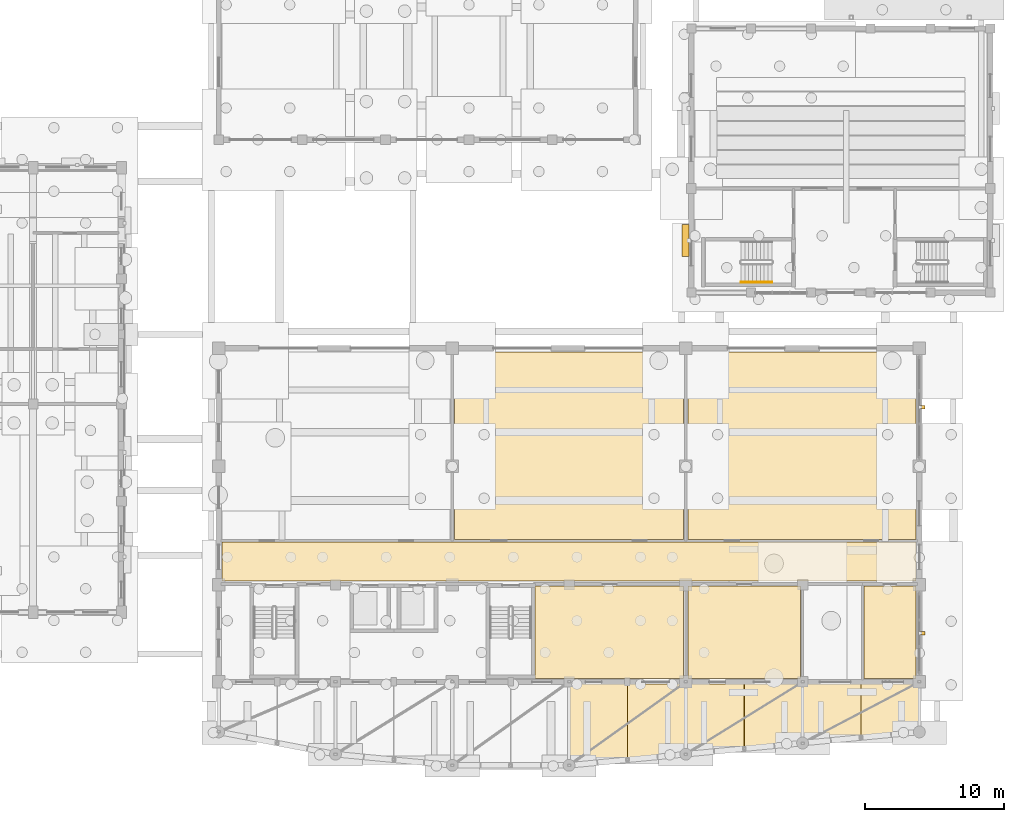
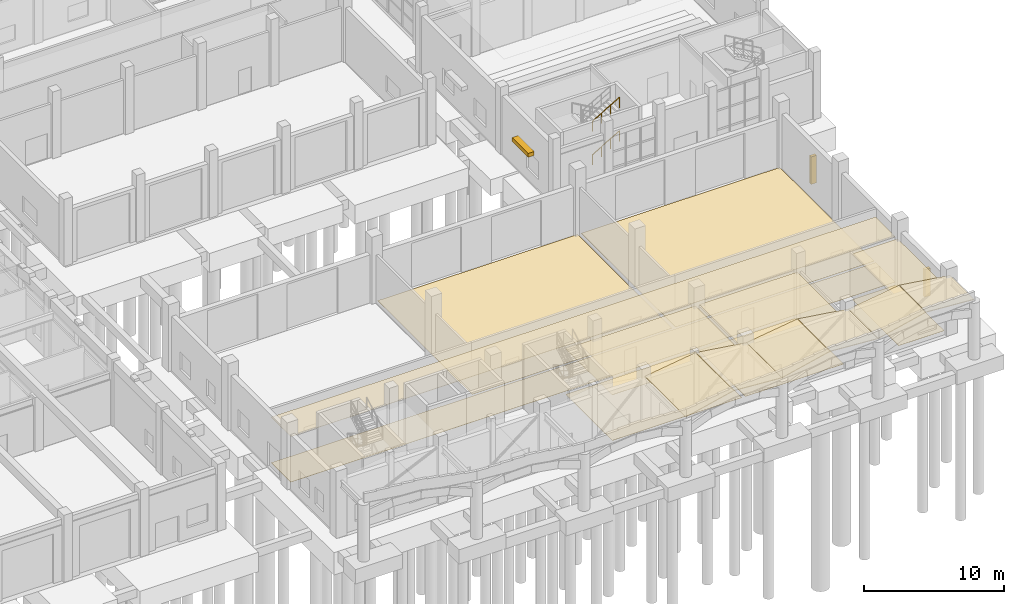
# One storey, part 56 of 60: 16 coverings, 3 shading devices, 2 railings.
"""IFC4 building model written with IfcOpenShell, lengths in metres."""

from ifc_helpers import new_model, si_unit, direction, frame, origin, origin_2d, place, context, subcontext, project, spatial, polyline, rectangle, circle, outline, extrude, material, layer, layer_set, type_object, element, save


model = new_model("IFC4")

# Units and contexts
model_context = context("Model", 3, precision=1e-05, world=origin(), true_north=direction((0.0, 1.0)))
body_context = subcontext(model_context, "Body", "Model", "MODEL_VIEW")
ifc_project = project(units=[si_unit("LENGTHUNIT", "METRE"), si_unit("AREAUNIT", "SQUARE_METRE"), si_unit("VOLUMEUNIT", "CUBIC_METRE"), si_unit("PLANEANGLEUNIT", "RADIAN"), si_unit("MASSUNIT", "GRAM", prefix="KILO")], contexts=[model_context])

# Site, building, storey
site_placement = place(None, origin())
site = spatial("IfcSite", under=ifc_project, at=site_placement, CompositionType="ELEMENT")
building_placement = place(site_placement, origin())
building = spatial("IfcBuilding", under=site, at=building_placement, Name="Trellovar Central Fire Station", CompositionType="ELEMENT")
storey_placement = place(building_placement, origin())
storey = spatial("IfcBuildingStorey", under=building, at=storey_placement, Name="L01", CompositionType="ELEMENT", Elevation=0.0)

# Coverings
ifc_material_1 = material(Name="Perforated acoustic mineral fiber ceiling tile", Category="mineral")
ifc_layer_1 = layer(ifc_material_1, 0.02490234375)
ifc_layer_set_1 = layer_set([ifc_layer_1], Name="Perforated acoustic mineral fiber ceiling tile")
covering_type_1 = type_object("IfcCoveringType", Name="COV-CLG1", PredefinedType="CEILING", material=ifc_layer_set_1)
covering_1_placement = place(storey_placement, frame((0.0, 0.0, 3.97998046875)))
element("IfcCovering", 1, at=covering_1_placement, inside=storey, type_object=covering_type_1, Name="Civic HQ Protected Exit Corridor suspended ceiling", PredefinedType="CEILING", context=body_context, shape_type="SweptSolid", body=[
    extrude(outline(polyline([(155.64990234375, 16.25), (105.75, 16.25), (105.75, 19.050048828125), (155.64990234375, 19.050048828125), (155.64990234375, 16.25)])), origin(), (0.0, 0.0, 1.0), 0.02490234375),
])
covering_2_placement = place(storey_placement, frame((0.0, 0.0, 3.97998046875)))
element("IfcCovering", 2, at=covering_2_placement, inside=storey, type_object=covering_type_1, Name="Public Community Safety Reception suspended ceiling", PredefinedType="CEILING", context=body_context, shape_type="SweptSolid", body=[
    extrude(outline(polyline([(138.949951171875, 9.25), (128.25, 9.25), (128.25, 15.89990234375), (138.949951171875, 15.89990234375), (138.949951171875, 9.25)])), origin(), (0.0, 0.0, 1.0), 0.02490234375),
])
ifc_material_2 = material(Name="Moisture-resistant gypsum ceiling board", Category="gypsum")
ifc_layer_2 = layer(ifc_material_2, 0.030029296875)
ifc_layer_set_2 = layer_set([ifc_layer_2], Name="Moisture-resistant gypsum ceiling board")
covering_type_2 = type_object("IfcCoveringType", Name="COV-CLG2", PredefinedType="CEILING", material=ifc_layer_set_2)
covering_3_placement = place(storey_placement, frame((0.0, 0.0, 3.97998046875)))
element("IfcCovering", 3, at=covering_3_placement, inside=storey, type_object=covering_type_2, Name="Public Male and Female Restrooms suspended ceiling", PredefinedType="CEILING", context=body_context, shape_type="SweptSolid", body=[
    extrude(outline(polyline([(147.35009765625, 9.25), (139.25, 9.25), (139.25, 15.89990234375), (147.35009765625, 15.89990234375), (147.35009765625, 9.25)])), origin(), (0.0, 0.0, 1.0), 0.030029296875),
])
covering_4_placement = place(storey_placement, frame((0.0, 0.0, 3.97998046875)))
element("IfcCovering", 4, at=covering_4_placement, inside=storey, type_object=covering_type_2, Name="Public Accessible WC suspended ceiling", PredefinedType="CEILING", context=body_context, shape_type="SweptSolid", body=[
    extrude(outline(polyline([(155.64990234375, 9.25), (151.89990234375, 9.25), (151.89990234375, 15.89990234375), (155.64990234375, 15.89990234375), (155.64990234375, 9.25)])), origin(), (0.0, 0.0, 1.0), 0.030029296875),
])
ifc_material_3 = material(Name="Heavy-duty slip-resistant quartz epoxy flooring", Category="finish")
ifc_layer_3 = layer(ifc_material_3, 0.014892578125)
ifc_layer_set_3 = layer_set([ifc_layer_3], Name="Heavy-duty slip-resistant quartz epoxy flooring")
covering_type_3 = type_object("IfcCoveringType", Name="COV-FLR1", PredefinedType="FLOORING", material=ifc_layer_set_3)
covering_5_placement = place(storey_placement, origin())
element("IfcCovering", 5, at=covering_5_placement, inside=storey, type_object=covering_type_3, Name="Urban Search and Rescue Apparatus Bay 2 floor finish", PredefinedType="FLOORING", context=body_context, shape_type="SweptSolid", body=[
    extrude(outline(polyline([(138.949951171875, 19.25), (122.449951171875, 19.25), (122.449951171875, 32.75), (138.949951171875, 32.75), (138.949951171875, 19.25)])), origin(), (0.0, 0.0, 1.0), 0.014892578125),
])
covering_6_placement = place(storey_placement, origin())
element("IfcCovering", 6, at=covering_6_placement, inside=storey, type_object=covering_type_3, Name="Mobile Command Apparatus Bay 3 floor finish", PredefinedType="FLOORING", context=body_context, shape_type="SweptSolid", body=[
    extrude(outline(polyline([(155.64990234375, 19.25), (139.25, 19.25), (139.25, 32.75), (155.64990234375, 32.75), (155.64990234375, 19.25)])), origin(), (0.0, 0.0, 1.0), 0.014892578125),
])
ifc_material_4 = material(Name="Vitrified Catalan ceramic floor tile", Category="masonry")
ifc_layer_4 = layer(ifc_material_4, 0.01806640625)
ifc_layer_set_4 = layer_set([ifc_layer_4], Name="Vitrified Catalan ceramic floor tile")
covering_type_4 = type_object("IfcCoveringType", Name="COV-FLR2", PredefinedType="FLOORING", material=ifc_layer_set_4)
covering_7_placement = place(storey_placement, origin())
element("IfcCovering", 7, at=covering_7_placement, inside=storey, type_object=covering_type_4, Name="Civic HQ Protected Exit Corridor floor finish", PredefinedType="FLOORING", context=body_context, shape_type="SweptSolid", body=[
    extrude(outline(polyline([(155.64990234375, 16.25), (105.75, 16.25), (105.75, 19.050048828125), (155.64990234375, 19.050048828125), (155.64990234375, 16.25)])), origin(), (0.0, 0.0, 1.0), 0.01806640625),
])
covering_8_placement = place(storey_placement, origin())
element("IfcCovering", 8, at=covering_8_placement, inside=storey, type_object=covering_type_4, Name="Public Community Safety Reception floor finish", PredefinedType="FLOORING", context=body_context, shape_type="SweptSolid", body=[
    extrude(outline(polyline([(138.949951171875, 9.25), (128.25, 9.25), (128.25, 15.89990234375), (138.949951171875, 15.89990234375), (138.949951171875, 9.25)])), origin(), (0.0, 0.0, 1.0), 0.01806640625),
])
covering_9_placement = place(storey_placement, origin())
element("IfcCovering", 9, at=covering_9_placement, inside=storey, type_object=covering_type_4, Name="Public Male and Female Restrooms floor finish", PredefinedType="FLOORING", context=body_context, shape_type="SweptSolid", body=[
    extrude(outline(polyline([(147.35009765625, 9.25), (139.25, 9.25), (139.25, 15.89990234375), (147.35009765625, 15.89990234375), (147.35009765625, 9.25)])), origin(), (0.0, 0.0, 1.0), 0.01806640625),
])
covering_10_placement = place(storey_placement, origin())
element("IfcCovering", 10, at=covering_10_placement, inside=storey, type_object=covering_type_4, Name="Public Accessible WC floor finish", PredefinedType="FLOORING", context=body_context, shape_type="SweptSolid", body=[
    extrude(outline(polyline([(155.64990234375, 9.25), (151.89990234375, 9.25), (151.89990234375, 15.89990234375), (155.64990234375, 15.89990234375), (155.64990234375, 9.25)])), origin(), (0.0, 0.0, 1.0), 0.01806640625),
])
ifc_material_5 = material(Name="Glazed ceramic trencadis roofing", Category="masonry")
ifc_layer_5 = layer(ifc_material_5, 0.06005859375)
ifc_layer_set_5 = layer_set([ifc_layer_5], Name="Glazed ceramic trencadis roofing")
covering_type_5 = type_object("IfcCoveringType", Name="COV-RF1", PredefinedType="ROOFING", material=ifc_layer_set_5)
covering_11_placement = place(storey_placement, frame((130.701904296875, 3.0, 5.01025390625), z_axis=(-0.141405195625, 0.0, 0.989951802186), x_axis=(0.985557285944, 0.094119801445, 0.140777480793)))
element("IfcCovering", 11, at=covering_11_placement, inside=storey, type_object=covering_type_5, Name="Concave boulevard trencadis canopy 04-W", PredefinedType="ROOFING", context=body_context, shape_type="SweptSolid", body=[
    extrude(outline(polyline([(0.0, 0.0), (4.2488651443416074, -1.0061396160665481e-16), (4.761836444987995, 5.426001233791799), (0.5506100298373379, 5.824128362485177), (0.0, 0.0)])), origin(), (0.0, 0.0, -1.0), 0.06005859375),
])
covering_12_placement = place(storey_placement, frame((134.910400390625, 3.39990234375, 5.6083984375), z_axis=(0.141405195625, 0.0, 0.989951802186), x_axis=(0.985551954326, 0.094176752165, -0.140776719222)))
element("IfcCovering", 12, at=covering_12_placement, inside=storey, type_object=covering_type_5, Name="Concave boulevard trencadis canopy 04-E", PredefinedType="ROOFING", context=body_context, shape_type="SweptSolid", body=[
    extrude(outline(polyline([(0.0, 0.0), (4.2488881297607675, 2.6020852139652106e-17), (4.724485326670276, 5.027603850020257), (0.5132816931983505, 5.4259718804859665), (0.0, 0.0)])), origin(), (0.0, 0.0, -1.0), 0.06005859375),
])
covering_13_placement = place(storey_placement, frame((139.10205078125, 3.800048828125, 5.01025390625), z_axis=(-0.141405195625, 0.0, 0.989951802186), x_axis=(0.985557285944, 0.094119801445, 0.140777480793)))
element("IfcCovering", 13, at=covering_13_placement, inside=storey, type_object=covering_type_5, Name="Concave boulevard trencadis canopy 05-W", PredefinedType="ROOFING", context=body_context, shape_type="SweptSolid", body=[
    extrude(outline(polyline([(0.0, 0.0), (4.2488651443416074, -1.0061396160665481e-16), (4.686536008138944, 4.629503919549919), (0.47530959298828707, 5.027631048243297), (0.0, 0.0)])), origin(), (0.0, 0.0, -1.0), 0.06005859375),
])
covering_14_placement = place(storey_placement, frame((143.310546875, 4.199951171875, 5.6083984375), z_axis=(0.141405195625, 0.0, 0.989951802186), x_axis=(0.985551954326, 0.094176752165, -0.140776719222)))
element("IfcCovering", 14, at=covering_14_placement, inside=storey, type_object=covering_type_5, Name="Concave boulevard trencadis canopy 05-E", PredefinedType="ROOFING", context=body_context, shape_type="SweptSolid", body=[
    extrude(outline(polyline([(0.0, 0.0), (4.2488881297607675, 2.6020852139652106e-17), (4.649139326463728, 4.231110844629085), (0.43793569299180174, 4.629478875094795), (0.0, 0.0)])), origin(), (0.0, 0.0, -1.0), 0.06005859375),
])
covering_15_placement = place(storey_placement, frame((147.501953125, 4.60009765625, 5.01025390625), z_axis=(-0.141405195625, 0.0, 0.989951802186), x_axis=(0.985557285944, 0.094119801445, 0.140777480793)))
element("IfcCovering", 15, at=covering_15_placement, inside=storey, type_object=covering_type_5, Name="Concave boulevard trencadis canopy 06-W", PredefinedType="ROOFING", context=body_context, shape_type="SweptSolid", body=[
    extrude(outline(polyline([(0.0, 0.0), (4.2488651443416074, -4.683753385137379e-17), (4.611235571289893, 3.83300660530804), (0.4000091561392362, 4.231133734001418), (0.0, 0.0)])), origin(), (0.0, 0.0, -1.0), 0.06005859375),
])
covering_16_placement = place(storey_placement, frame((151.71044921875, 5.0, 5.6083984375), z_axis=(0.141405195625, 0.0, 0.989951802186), x_axis=(0.985557285944, 0.094119801445, -0.140777480793)))
element("IfcCovering", 16, at=covering_16_placement, inside=storey, type_object=covering_type_5, Name="Concave boulevard trencadis canopy 06-E", PredefinedType="ROOFING", context=body_context, shape_type="SweptSolid", body=[
    extrude(outline(polyline([(0.0, 0.0), (4.2488651443416074, -4.683753385137379e-17), (4.573596842098943, 3.434879476614662), (0.3623704269482856, 3.83300660530804), (0.0, 0.0)])), origin(), (0.0, 0.0, -1.0), 0.06005859375),
])

# Railings
ifc_material_6 = material(Name="Patina bronze wrought metalwork", Category="metal")
ifc_layer_6 = layer(ifc_material_6, 0.048095703125)
ifc_layer_set_6 = layer_set([ifc_layer_6], Name="Patina bronze wrought metalwork")
railing_type = type_object("IfcRailingType", Name="RL-STAIR", PredefinedType="HANDRAIL", material=ifc_layer_set_6)
for number, where, name in (
    (17, (143.06005859375, 37.75, 1.625), "L01 ST-09 stair handrail 2"),
    (18, (143.06005859375, 37.75, 4.550048828125), "L01 ST-09 stair handrail 4"),
):
    element("IfcRailing", number, at=place(storey_placement, frame(where)), inside=storey, type_object=railing_type, Name=name, PredefinedType="HANDRAIL", context=body_context, shape_type="SweptSolid", body=[
        extrude(circle(Radius=0.02392578125, at=origin_2d()), frame((0.0, 0.0, 0.8759765625), z_axis=(0.864887963814, 0.0, 0.501964949025), x_axis=(0.0, 1.0, 0.0)), (0.0, 0.0, 1.0), 2.58984375),
        extrude(circle(Radius=0.02099609375, at=origin_2d()), origin(), (0.0, 0.0, 1.0), 0.851806640625),
        extrude(circle(Radius=0.02099609375, at=origin_2d()), frame((0.74658203125, 0.0, 0.433349609375)), (0.0, 0.0, 1.0), 0.851806640625),
        extrude(circle(Radius=0.02099609375, at=origin_2d()), frame((1.493408203125, 0.0, 0.86669921875)), (0.0, 0.0, 1.0), 0.851806640625),
        extrude(circle(Radius=0.02099609375, at=origin_2d()), frame((2.239990234375, 0.0, 1.300048828125)), (0.0, 0.0, 1.0), 0.851806640625),
    ])

# Shading devices
ifc_material_7 = material(Name="Glazed ceramic trencadis and terracotta panel", Category="masonry")
shading_device_type_1 = type_object("IfcShadingDeviceType", Name="SHD-LV1", PredefinedType="JALOUSIE", material=ifc_material_7)
shading_device_placement = place(storey_placement, frame((139.074951171875, 40.75, 2.6298828125), z_axis=(0.0, 0.0, 1.0), x_axis=(0.0, 1.0, 0.0)))
element("IfcShadingDevice", 19, at=shading_device_placement, inside=storey, type_object=shading_device_type_1, Name="L01 Catalan solar brise-soleil LV-1", PredefinedType="JALOUSIE", context=body_context, shape_type="SweptSolid", body=[
    extrude(rectangle(XDim=2.300048828125, YDim=0.5, at=origin_2d()), origin(), (0.0, 0.0, 1.0), 0.340087890625),
])
ifc_material_8 = material(Name="Patina bronze wrought metalwork", Category="metal")
shading_device_type_2 = type_object("IfcShadingDeviceType", Name="SHD-LV2", PredefinedType="SHUTTER", material=ifc_material_8)
for number, where, z_axis, x_axis, name in (
    (20, (156.0849609375, 12.5, 0.949951171875), (0.0, 0.0, 1.0), (1.0, 0.0, 0.0), "L01 Catalan solar brise-soleil LV-2"),
    (21, (156.0849609375, 28.75, 0.949951171875), (0.0, 0.0, 1.0), (1.0, 0.0, 0.0), "L01 Catalan solar brise-soleil LV-2"),
):
    element("IfcShadingDevice", number, at=place(storey_placement, frame(where, z_axis=z_axis, x_axis=x_axis)), inside=storey, type_object=shading_device_type_2, Name=name, PredefinedType="SHUTTER", context=body_context, shape_type="SweptSolid", body=[
        extrude(rectangle(XDim=0.449951171875, YDim=0.239990234375, at=origin_2d()), origin(), (0.0, 0.0, 1.0), 2.39990234375),
    ])

save(model, "model.ifc")
